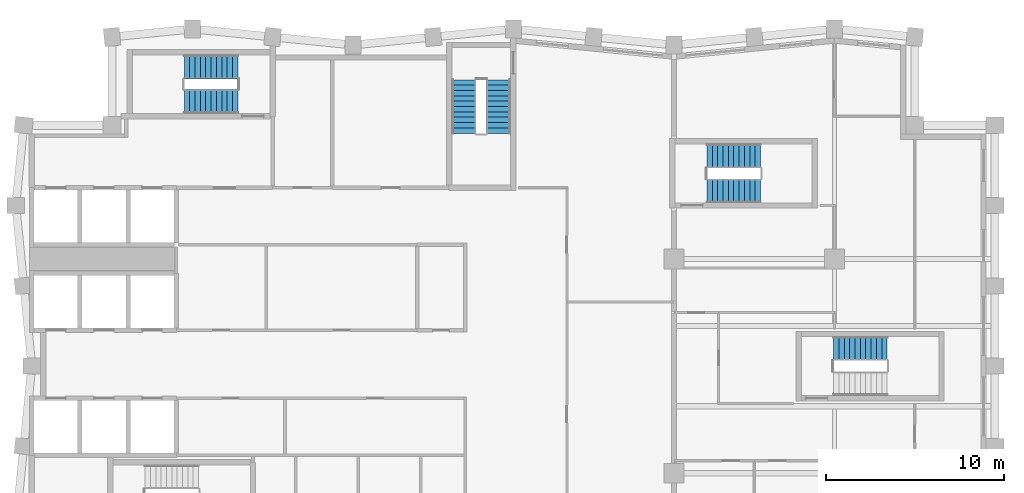
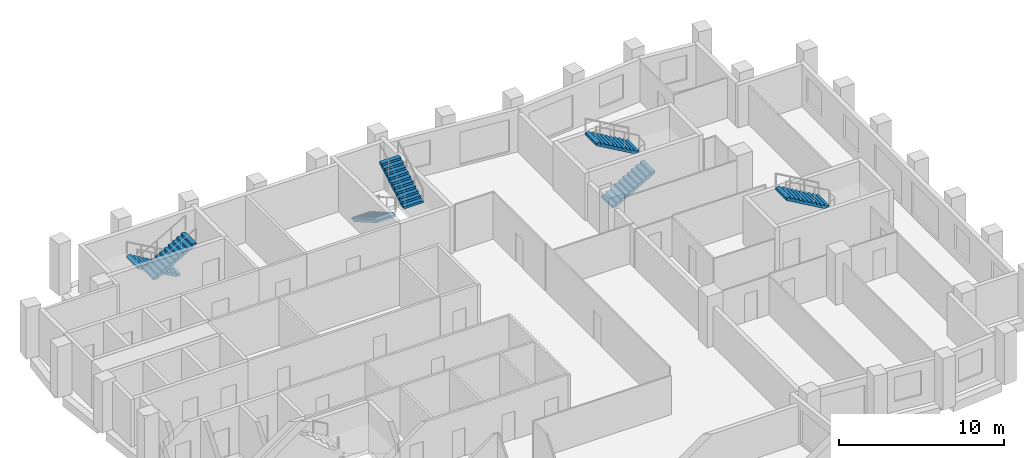
# One storey, part 7 of 8: 7 stair flights, 4 elements without a shape of their own.
"""IFC4 building model written with IfcOpenShell, lengths in metres."""

from ifc_helpers import new_model, si_unit, direction, frame, origin, place, context, subcontext, project, spatial, polyline, outline, extrude, material, type_object, element, aggregate, save


model = new_model("IFC4")

# Units and contexts
model_context = context("Model", 3, precision=1e-05, world=origin(), true_north=direction((0.0, 1.0)))
body_context = subcontext(model_context, "Body", "Model", "MODEL_VIEW")
ifc_project = project(units=[si_unit("LENGTHUNIT", "METRE"), si_unit("AREAUNIT", "SQUARE_METRE"), si_unit("VOLUMEUNIT", "CUBIC_METRE"), si_unit("PLANEANGLEUNIT", "RADIAN"), si_unit("MASSUNIT", "GRAM", prefix="KILO")], contexts=[model_context])

# Site, building, storey
site_placement = place(None, origin())
site = spatial("IfcSite", under=ifc_project, at=site_placement, CompositionType="ELEMENT")
building_placement = place(site_placement, origin())
building = spatial("IfcBuilding", under=site, at=building_placement, Name="Brondeck Convention Tower", CompositionType="ELEMENT")
storey_placement = place(building_placement, frame((0.0, 0.0, 221.60009765625)))
storey = spatial("IfcBuildingStorey", under=building, at=storey_placement, Name="L54", CompositionType="ELEMENT", Elevation=221.60009765625)

# Stair, stair flights
ifc_material = material(Name="Precast concrete C50/60", Category="concrete")
stair_type = type_object("IfcStairType", Name="Core stair 22 risers 172.73 mm riser 300 mm going 1350 wide", PredefinedType="HALF_TURN_STAIR", material=ifc_material)
stair_1_placement = place(storey_placement, origin())
stair_1 = element("IfcStair", 1, at=stair_1_placement, inside=storey, type_object=stair_type, Name="ST-2 L54 stair", PredefinedType="HALF_TURN_STAIR")
stair_flight_type = type_object("IfcStairFlightType", Name="Core stair flight 22 risers 172.73 mm riser 300 mm going 1350 wide", PredefinedType="STRAIGHT", material=ifc_material)
stair_flight_1_placement = place(storey_placement, frame((24.22509765625, 61.050048828125, 0.0), z_axis=(0.0, 0.0, 1.0), x_axis=(0.0, -1.0, 0.0)))
stair_flight_1 = element("IfcStairFlight", 2, at=stair_flight_1_placement, type_object=stair_flight_type, Name="ST-2 flight 1", NumberOfRisers=11, NumberOfTreads=10, PredefinedType="STRAIGHT", RiserHeight=0.172727273, TreadLength=0.3, context=body_context, shape_type="SweptSolid", body=[
    extrude(outline(polyline([(0.0, 0.0), (0.0, 0.172607421875), (0.300048828125, 0.172607421875), (0.300048828125, 0.345458984375), (0.60009765625, 0.345458984375), (0.60009765625, 0.51806640625), (0.89990234375, 0.51806640625), (0.89990234375, 0.69091796875), (1.199951171875, 0.69091796875), (1.199951171875, 0.863525390625), (1.5, 0.863525390625), (1.5, 1.036376953125), (1.800048828125, 1.036376953125), (1.800048828125, 1.208984375), (2.10009765625, 1.208984375), (2.10009765625, 1.3818359375), (2.39990234375, 1.3818359375), (2.39990234375, 1.554443359375), (2.699951171875, 1.554443359375), (2.699951171875, 1.727294921875), (3.0, 1.727294921875), (3.0, 1.89990234375), (3.0, 1.55419921875), (0.300537109375, 0.0), (0.0, 0.0)])), frame((0.0, 0.675048828125, 0.0), z_axis=(0.0, -1.0, 0.0), x_axis=(1.0, 0.0, 0.0)), (0.0, 0.0, 1.0), 1.35009765625),
])
stair_flight_2_placement = place(storey_placement, frame((26.175048828125, 58.050048828125, 1.89990234375), z_axis=(0.0, 0.0, 1.0), x_axis=(0.0, 1.0, 0.0)))
stair_flight_2 = element("IfcStairFlight", 3, at=stair_flight_2_placement, type_object=stair_flight_type, Name="ST-2 flight 2", NumberOfRisers=11, NumberOfTreads=10, PredefinedType="STRAIGHT", RiserHeight=0.172727273, TreadLength=0.3, context=body_context, shape_type="SweptSolid", body=[
    extrude(outline(polyline([(0.0, 0.0), (0.0, 0.172607421875), (0.300048828125, 0.172607421875), (0.300048828125, 0.345458984375), (0.60009765625, 0.345458984375), (0.60009765625, 0.51806640625), (0.89990234375, 0.51806640625), (0.89990234375, 0.69091796875), (1.199951171875, 0.69091796875), (1.199951171875, 0.863525390625), (1.5, 0.863525390625), (1.5, 1.036376953125), (1.800048828125, 1.036376953125), (1.800048828125, 1.208984375), (2.10009765625, 1.208984375), (2.10009765625, 1.3818359375), (2.39990234375, 1.3818359375), (2.39990234375, 1.554443359375), (2.699951171875, 1.554443359375), (2.699951171875, 1.727294921875), (3.0, 1.727294921875), (3.0, 1.89990234375), (3.0, 1.55419921875), (0.300537109375, 0.0), (0.0, 0.0)])), frame((0.0, 0.675048828125, 0.0), z_axis=(0.0, -1.0, 0.0), x_axis=(1.0, 0.0, 0.0)), (0.0, 0.0, 1.0), 1.35009765625),
])
aggregate(stair_1, [stair_flight_1, stair_flight_2])

stair_2_placement = place(storey_placement, origin())
stair_2 = element("IfcStair", 4, at=stair_2_placement, inside=storey, type_object=stair_type, Name="ST-3 L54 stair", PredefinedType="HALF_TURN_STAIR")
stair_flight_3_placement = place(storey_placement, frame((11.550048828125, 61.77490234375, 0.0), z_axis=(0.0, 0.0, 1.0), x_axis=(-1.0, 0.0, 0.0)))
stair_flight_3 = element("IfcStairFlight", 5, at=stair_flight_3_placement, type_object=stair_flight_type, Name="ST-3 flight 1", NumberOfRisers=11, NumberOfTreads=10, PredefinedType="STRAIGHT", RiserHeight=0.172727273, TreadLength=0.3, context=body_context, shape_type="SweptSolid", body=[
    extrude(outline(polyline([(0.0, 0.0), (0.0, 0.172607421875), (0.300048828125, 0.172607421875), (0.300048828125, 0.345458984375), (0.60009765625, 0.345458984375), (0.60009765625, 0.51806640625), (0.89990234375, 0.51806640625), (0.89990234375, 0.69091796875), (1.199951171875, 0.69091796875), (1.199951171875, 0.863525390625), (1.5, 0.863525390625), (1.5, 1.036376953125), (1.800048828125, 1.036376953125), (1.800048828125, 1.208984375), (2.10009765625, 1.208984375), (2.10009765625, 1.3818359375), (2.39990234375, 1.3818359375), (2.39990234375, 1.554443359375), (2.699951171875, 1.554443359375), (2.699951171875, 1.727294921875), (3.0, 1.727294921875), (3.0, 1.89990234375), (3.0, 1.55419921875), (0.300537109375, 0.0), (0.0, 0.0)])), frame((0.0, 0.675048828125, 0.0), z_axis=(0.0, -1.0, 0.0), x_axis=(1.0, 0.0, 0.0)), (0.0, 0.0, 1.0), 1.35009765625),
])
stair_flight_4_placement = place(storey_placement, frame((8.550048828125, 59.824951171875, 1.89990234375), z_axis=(0.0, 0.0, 1.0), x_axis=(1.0, 0.0, 0.0)))
stair_flight_4 = element("IfcStairFlight", 6, at=stair_flight_4_placement, type_object=stair_flight_type, Name="ST-3 flight 2", NumberOfRisers=11, NumberOfTreads=10, PredefinedType="STRAIGHT", RiserHeight=0.172727273, TreadLength=0.3, context=body_context, shape_type="SweptSolid", body=[
    extrude(outline(polyline([(0.0, 0.0), (0.0, 0.172607421875), (0.300048828125, 0.172607421875), (0.300048828125, 0.345458984375), (0.60009765625, 0.345458984375), (0.60009765625, 0.51806640625), (0.89990234375, 0.51806640625), (0.89990234375, 0.69091796875), (1.199951171875, 0.69091796875), (1.199951171875, 0.863525390625), (1.5, 0.863525390625), (1.5, 1.036376953125), (1.800048828125, 1.036376953125), (1.800048828125, 1.208984375), (2.10009765625, 1.208984375), (2.10009765625, 1.3818359375), (2.39990234375, 1.3818359375), (2.39990234375, 1.554443359375), (2.699951171875, 1.554443359375), (2.699951171875, 1.727294921875), (3.0, 1.727294921875), (3.0, 1.89990234375), (3.0, 1.55419921875), (0.300537109375, 0.0), (0.0, 0.0)])), frame((0.0, 0.675048828125, 0.0), z_axis=(0.0, -1.0, 0.0), x_axis=(1.0, 0.0, 0.0)), (0.0, 0.0, 1.0), 1.35009765625),
])
aggregate(stair_2, [stair_flight_3, stair_flight_4])

stair_3_placement = place(storey_placement, origin())
stair_3 = element("IfcStair", 7, at=stair_3_placement, inside=storey, type_object=stair_type, Name="ST-AE L54 stair", PredefinedType="HALF_TURN_STAIR")
stair_flight_5_placement = place(storey_placement, frame((37.85009765625, 54.824951171875, 0.0), z_axis=(0.0, 0.0, 1.0), x_axis=(1.0, 0.0, 0.0)))
stair_flight_5 = element("IfcStairFlight", 8, at=stair_flight_5_placement, type_object=stair_flight_type, Name="ST-AE flight 1", NumberOfRisers=11, NumberOfTreads=10, PredefinedType="STRAIGHT", RiserHeight=0.172727273, TreadLength=0.3, context=body_context, shape_type="SweptSolid", body=[
    extrude(outline(polyline([(0.0, 0.0), (0.0, 0.172607421875), (0.300048828125, 0.172607421875), (0.300048828125, 0.345458984375), (0.60009765625, 0.345458984375), (0.60009765625, 0.51806640625), (0.89990234375, 0.51806640625), (0.89990234375, 0.69091796875), (1.199951171875, 0.69091796875), (1.199951171875, 0.863525390625), (1.5, 0.863525390625), (1.5, 1.036376953125), (1.800048828125, 1.036376953125), (1.800048828125, 1.208984375), (2.10009765625, 1.208984375), (2.10009765625, 1.3818359375), (2.39990234375, 1.3818359375), (2.39990234375, 1.554443359375), (2.699951171875, 1.554443359375), (2.699951171875, 1.727294921875), (3.0, 1.727294921875), (3.0, 1.89990234375), (3.0, 1.55419921875), (0.300537109375, 0.0), (0.0, 0.0)])), frame((0.0, 0.675048828125, 0.0), z_axis=(0.0, -1.0, 0.0), x_axis=(1.0, 0.0, 0.0)), (0.0, 0.0, 1.0), 1.35009765625),
])
stair_flight_6_placement = place(storey_placement, frame((40.85009765625, 56.77490234375, 1.89990234375), z_axis=(0.0, 0.0, 1.0), x_axis=(-1.0, 0.0, 0.0)))
stair_flight_6 = element("IfcStairFlight", 9, at=stair_flight_6_placement, type_object=stair_flight_type, Name="ST-AE flight 2", NumberOfRisers=11, NumberOfTreads=10, PredefinedType="STRAIGHT", RiserHeight=0.172727273, TreadLength=0.3, context=body_context, shape_type="SweptSolid", body=[
    extrude(outline(polyline([(0.0, 0.0), (0.0, 0.172607421875), (0.300048828125, 0.172607421875), (0.300048828125, 0.345458984375), (0.60009765625, 0.345458984375), (0.60009765625, 0.51806640625), (0.89990234375, 0.51806640625), (0.89990234375, 0.69091796875), (1.199951171875, 0.69091796875), (1.199951171875, 0.863525390625), (1.5, 0.863525390625), (1.5, 1.036376953125), (1.800048828125, 1.036376953125), (1.800048828125, 1.208984375), (2.10009765625, 1.208984375), (2.10009765625, 1.3818359375), (2.39990234375, 1.3818359375), (2.39990234375, 1.554443359375), (2.699951171875, 1.554443359375), (2.699951171875, 1.727294921875), (3.0, 1.727294921875), (3.0, 1.89990234375), (3.0, 1.55419921875), (0.300537109375, 0.0), (0.0, 0.0)])), frame((0.0, 0.675048828125, 0.0), z_axis=(0.0, -1.0, 0.0), x_axis=(1.0, 0.0, 0.0)), (0.0, 0.0, 1.0), 1.35009765625),
])
aggregate(stair_3, [stair_flight_5, stair_flight_6])

# Stair, stair flight
stair_4_placement = place(storey_placement, origin())
stair_4 = element("IfcStair", 10, at=stair_4_placement, inside=storey, type_object=stair_type, Name="ST-AF L54 stair", PredefinedType="HALF_TURN_STAIR")
stair_flight_7_placement = place(storey_placement, frame((47.949951171875, 45.97509765625, 1.89990234375), z_axis=(0.0, 0.0, 1.0), x_axis=(-1.0, 0.0, 0.0)))
stair_flight_7 = element("IfcStairFlight", 11, at=stair_flight_7_placement, type_object=stair_flight_type, Name="ST-AF flight 2", NumberOfRisers=11, NumberOfTreads=10, PredefinedType="STRAIGHT", RiserHeight=0.172727273, TreadLength=0.3, context=body_context, shape_type="SweptSolid", body=[
    extrude(outline(polyline([(0.0, 0.0), (0.0, 0.172607421875), (0.300048828125, 0.172607421875), (0.300048828125, 0.345458984375), (0.60009765625, 0.345458984375), (0.60009765625, 0.51806640625), (0.89990234375, 0.51806640625), (0.89990234375, 0.69091796875), (1.199951171875, 0.69091796875), (1.199951171875, 0.863525390625), (1.5, 0.863525390625), (1.5, 1.036376953125), (1.800048828125, 1.036376953125), (1.800048828125, 1.208984375), (2.10009765625, 1.208984375), (2.10009765625, 1.3818359375), (2.39990234375, 1.3818359375), (2.39990234375, 1.554443359375), (2.699951171875, 1.554443359375), (2.699951171875, 1.727294921875), (3.0, 1.727294921875), (3.0, 1.89990234375), (3.0, 1.55419921875), (0.300537109375, 0.0), (0.0, 0.0)])), frame((0.0, 0.675048828125, 0.0), z_axis=(0.0, -1.0, 0.0), x_axis=(1.0, 0.0, 0.0)), (0.0, 0.0, 1.0), 1.35009765625),
])
aggregate(stair_4, [stair_flight_7])

save(model, "model.ifc")
